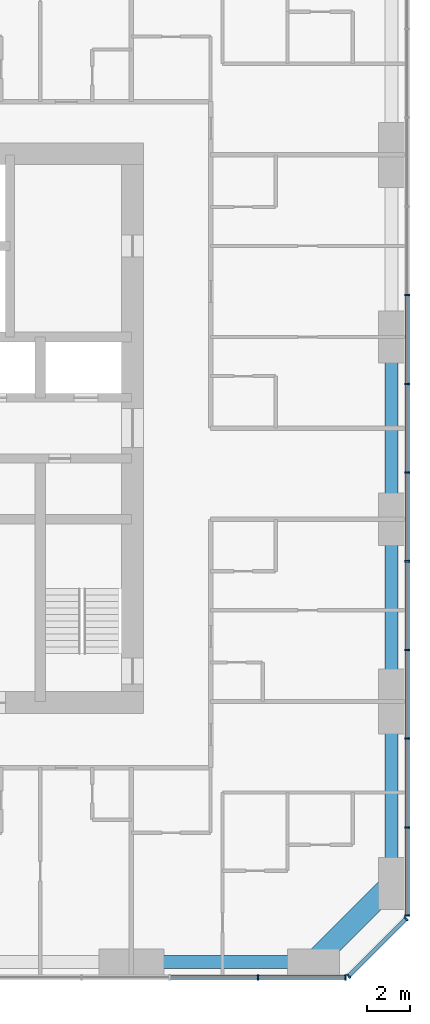
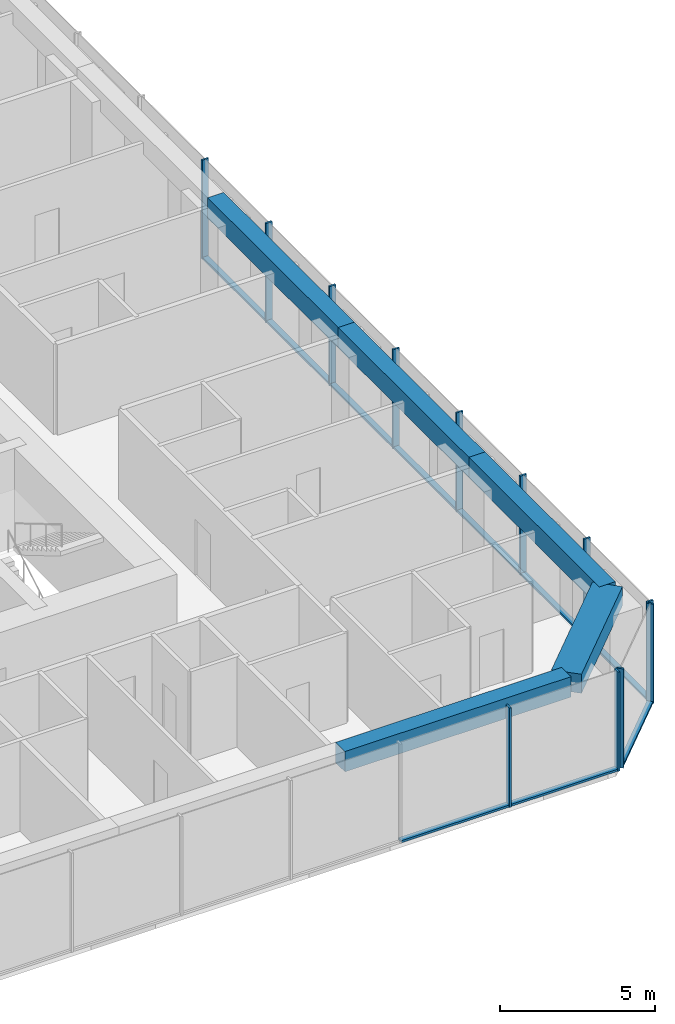
# One storey, part 3 of 13: 22 members, 5 beams, 3 elements without a shape of their own.
"""IFC4 building model written with IfcOpenShell, lengths in metres."""

import ifcopenshell
import ifcopenshell.guid

model = None  # the IFC model being written
_history = None  # IfcOwnerHistory: only IFC2X3 demands one
_inside = {}  # id of a spatial element -> (the spatial element, [elements in it])
_under = {}  # id of a project, library or spatial element -> (it, [spatial elements below it])
_declared = {}  # id of a project -> (the project, [libraries it declares])
_typed = {}  # id of a type object -> (the type object, [elements of that type])
_made_of = {}  # id of a material, layer set ... -> (it, [elements and type objects made of it])


def new_model(schema):
    """Start an empty IFC model of exactly this schema.

    Asked for "IFC4X3", IfcOpenShell would pick the latest addendum, in which some entities
    have other attributes; the version numbers below select the first issue.
    IFC2X3 requires an IfcOwnerHistory on every rooted entity: one is made here for all.
    """
    global model, _history
    if schema == "IFC4X3":
        model = ifcopenshell.file(schema_version=(4, 3, 0, 0))
    else:
        model = ifcopenshell.file(schema=schema)
    _inside.clear()
    _under.clear()
    _declared.clear()
    _typed.clear()
    _made_of.clear()
    _history = None
    if model.schema == "IFC2X3":
        org = make("IfcOrganization", Name="unknown")
        user = make(
            "IfcPersonAndOrganization",
            ThePerson=make("IfcPerson", FamilyName="unknown"),
            TheOrganization=org,
        )
        app = make(
            "IfcApplication",
            ApplicationDeveloper=org,
            Version="unknown",
            ApplicationFullName="unknown",
            ApplicationIdentifier="unknown",
        )
        _history = make(
            "IfcOwnerHistory",
            OwningUser=user,
            OwningApplication=app,
            ChangeAction="ADDED",
            CreationDate=0,
        )
    return model


def make(cls, **values):
    """One entity of the class cls with the attributes given. An attribute that is None is left unset."""
    return model.create_entity(
        cls, **{name: value for name, value in values.items() if value is not None}
    )


def rooted(cls, **values):
    """An entity with a GlobalId (a new one), such as an element, a storey or a relation."""
    return make(cls, GlobalId=ifcopenshell.guid.new(), OwnerHistory=_history, **values)


def si_unit(unit_type, name, prefix=None):
    """IfcSIUnit, for example si_unit("LENGTHUNIT", "METRE", prefix="MILLI")."""
    return make("IfcSIUnit", UnitType=unit_type, Prefix=prefix, Name=name)


def assignment(units):
    """IfcUnitAssignment: the units of a project."""
    return None if units is None else make("IfcUnitAssignment", Units=units)


def point(xyz):
    """IfcCartesianPoint."""
    return None if xyz is None else make("IfcCartesianPoint", Coordinates=xyz)


def direction(xyz):
    """IfcDirection."""
    return None if xyz is None else make("IfcDirection", DirectionRatios=xyz)


def frame(location, z_axis=None, x_axis=None):
    """IfcAxis2Placement3D, a coordinate frame: its origin and axes. An axis left out is left unset."""
    return make(
        "IfcAxis2Placement3D",
        Location=point(location),
        Axis=direction(z_axis),
        RefDirection=direction(x_axis),
    )


def frame_2d(location, x_axis=None):
    """IfcAxis2Placement2D, a coordinate frame in the plane: its origin and x axis."""
    return make(
        "IfcAxis2Placement2D", Location=point(location), RefDirection=direction(x_axis)
    )


def origin():
    """The frame at (0, 0, 0) with its axes left unset."""
    return frame((0.0, 0.0, 0.0))


def origin_2d():
    """The frame at (0, 0) in the plane with its x axis left unset."""
    return frame_2d((0.0, 0.0))


def place(relative_to, where):
    """IfcLocalPlacement: puts the frame where relative to a parent placement (None: the world)."""
    return make(
        "IfcLocalPlacement", PlacementRelTo=relative_to, RelativePlacement=where
    )


def context(
    kind, dimensions, precision=None, world=None, true_north=None, identifier=None
):
    """IfcGeometricRepresentationContext, for example the 3D "Model" context."""
    return make(
        "IfcGeometricRepresentationContext",
        ContextIdentifier=identifier,
        ContextType=kind,
        CoordinateSpaceDimension=dimensions,
        Precision=precision,
        WorldCoordinateSystem=world,
        TrueNorth=true_north,
    )


def subcontext(parent, identifier, kind, view, scale=None):
    """IfcGeometricRepresentationSubContext, for example "Body" below "Model"."""
    return make(
        "IfcGeometricRepresentationSubContext",
        ContextIdentifier=identifier,
        ContextType=kind,
        ParentContext=parent,
        TargetScale=scale,
        TargetView=view,
    )


def project(units=None, contexts=None):
    """IfcProject with its units and contexts."""
    return rooted(
        "IfcProject",
        Name="project",
        RepresentationContexts=contexts,
        UnitsInContext=assignment(units),
    )


def spatial(cls, under=None, at=None, **own):
    """A site, building, storey or space (cls), placed at a placement, below another one or the project."""
    s = rooted(cls, ObjectPlacement=at, **own)
    if under is not None:
        _under.setdefault(under.id(), (under, []))[1].append(s)
    return s


def profile(cls, at=None, kind="AREA", **sizes):
    """A parametric profile (cls). Its sizes go by their IFC names, for example OverallWidth=200.0."""
    return make(cls, ProfileType=kind, Position=at, **sizes)


def rectangle(**sizes):
    """IfcRectangleProfileDef."""
    return profile("IfcRectangleProfileDef", **sizes)


def extrude(swept, where, along, depth):
    """IfcExtrudedAreaSolid: the profile swept, set in the frame where, extruded along a direction by depth."""
    return make(
        "IfcExtrudedAreaSolid",
        SweptArea=swept,
        Position=where,
        ExtrudedDirection=direction(along),
        Depth=depth,
    )


def shape(context_of_items, identifier, shape_type, items):
    """IfcShapeRepresentation: the items that make up one representation, for example the "Body"."""
    return make(
        "IfcShapeRepresentation",
        ContextOfItems=context_of_items,
        RepresentationIdentifier=identifier,
        RepresentationType=shape_type,
        Items=items,
    )


def material(Name=None, Category=None):
    """IfcMaterial."""
    return make("IfcMaterial", Name=Name, Category=Category)


def material_profile(
    of_material, cross_section, Name=None, Category=None, Priority=None
):
    """IfcMaterialProfile: a cross section and its material."""
    return make(
        "IfcMaterialProfile",
        Name=Name,
        Material=of_material,
        Profile=cross_section,
        Priority=Priority,
        Category=Category,
    )


def profile_set(profiles, Name=None, composite=None):
    """IfcMaterialProfileSet."""
    return make(
        "IfcMaterialProfileSet",
        Name=Name,
        MaterialProfiles=profiles,
        CompositeProfile=composite,
    )


def made_of(thing, what):
    """Note that an element or type object is made of a material, layer set ...; save() writes the relation."""
    if what is not None:
        _made_of.setdefault(what.id(), (what, []))[1].append(thing)
    return thing


def type_object(cls, material=None, **own):
    """A type object (cls), such as IfcWallType, which elements share."""
    return made_of(rooted(cls, **own), material)


def element(
    cls,
    number,
    at=None,
    inside=None,
    cuts=None,
    type_object=None,
    material=None,
    context=None,
    identifier="Body",
    shape_type=None,
    held_by="IfcProductDefinitionShape",
    body=None,
    shapes=None,
    **own,
):
    """One element of the class cls, such as IfcWall. Its Tag is "e" and its number.

    at: its placement. inside: the storey or other place that contains it. cuts: it is an
    opening in that element (IfcRelVoidsElement). A single representation is given by context,
    identifier, shape_type and body (its items); several are given by shapes. held_by: the class
    of the entity that holds the representations. save() writes the other relations.
    """
    e = rooted(cls, Tag="e%d" % number, ObjectPlacement=at, **own)
    if body is not None:
        shapes = [shape(context, identifier, shape_type, body)]
    if shapes is not None:
        e.Representation = make(held_by, Representations=shapes)
    if inside is not None:
        _inside.setdefault(inside.id(), (inside, []))[1].append(e)
    if cuts is not None:
        rooted(
            "IfcRelVoidsElement", RelatingBuildingElement=cuts, RelatedOpeningElement=e
        )
    if type_object is not None:
        _typed.setdefault(type_object.id(), (type_object, []))[1].append(e)
    return made_of(e, material)


def aggregate(whole, parts):
    """IfcRelAggregates: a whole, such as a stair, and the parts it consists of."""
    return rooted("IfcRelAggregates", RelatingObject=whole, RelatedObjects=parts)


def save(model, path):
    """Write the relations noted so far, then the file.

    IfcRelAggregates (storeys below a building ...), IfcRelContainedInSpatialStructure (elements
    in a storey), IfcRelDefinesByType, IfcRelAssociatesMaterial and IfcRelDeclares: one each for
    every whole, place, type object, material and project.
    """
    for whole, parts in _under.values():
        aggregate(whole, parts)
    for where, things in _inside.values():
        rooted(
            "IfcRelContainedInSpatialStructure",
            RelatedElements=things,
            RelatingStructure=where,
        )
    for kind, things in _typed.values():
        rooted("IfcRelDefinesByType", RelatedObjects=things, RelatingType=kind)
    for what, things in _made_of.values():
        rooted("IfcRelAssociatesMaterial", RelatedObjects=things, RelatingMaterial=what)
    for by, libraries in _declared.values():
        rooted("IfcRelDeclares", RelatingContext=by, RelatedDefinitions=libraries)
    model.write(path)


model = new_model("IFC4")

# Units and contexts
model_context = context("Model", 3, precision=1e-05, world=origin(), true_north=direction((0.0, 1.0)))
body_context = subcontext(model_context, "Body", "Model", "MODEL_VIEW")
ifc_project = project(units=[si_unit("LENGTHUNIT", "METRE"), si_unit("AREAUNIT", "SQUARE_METRE"), si_unit("VOLUMEUNIT", "CUBIC_METRE"), si_unit("PLANEANGLEUNIT", "RADIAN"), si_unit("MASSUNIT", "GRAM", prefix="KILO")], contexts=[model_context])

# Site, building, storey
site_placement = place(None, origin())
site = spatial("IfcSite", under=ifc_project, at=site_placement, CompositionType="ELEMENT")
building_placement = place(site_placement, origin())
building = spatial("IfcBuilding", under=site, at=building_placement, Name="Dunama Terrace Hotel", CompositionType="ELEMENT")
storey_placement = place(building_placement, frame((0.0, 0.0, 225.60009765625)))
storey = spatial("IfcBuildingStorey", under=building, at=storey_placement, Name="L58", CompositionType="ELEMENT", Elevation=225.60009765625)

# Curtain wall, members
ifc_material_1 = material(Name="Aluminium curtain wall system", Category="aluminium")
curtain_wall_type = type_object("IfcCurtainWallType", Name="Unitised fritted glass wall CW-D", PredefinedType="NOTDEFINED", material=ifc_material_1)
curtain_wall_1_placement = place(storey_placement, origin())
curtain_wall_1 = element("IfcCurtainWall", 1, at=curtain_wall_1_placement, inside=storey, type_object=curtain_wall_type, Name="Unitised fritted glass wall CW-D L58", PredefinedType="NOTDEFINED")
ifc_material_2 = material(Name="Aluminium mullion", Category="aluminium")
ifc_material_profile_1 = material_profile(ifc_material_2, rectangle(XDim=0.070068359375, YDim=0.239990234375, at=origin_2d()), Name="CWD MULLION 70X240")
ifc_profile_set_1 = profile_set([ifc_material_profile_1], Name="Aluminium mullion")
member_type_1 = type_object("IfcMemberType", Name="CWD mullion 70x240", PredefinedType="MULLION", material=ifc_profile_set_1)
member_1_placement = place(storey_placement, frame((47.8330078125, 4.080078125, 0.0), z_axis=(0.0, 0.0, 1.0), x_axis=(1.0, 0.0, 0.0)))
member_1 = element("IfcMember", 2, at=member_1_placement, type_object=member_type_1, Name="CWD mullion", PredefinedType="MULLION", context=body_context, shape_type="SweptSolid", body=[
    extrude(rectangle(XDim=0.070068359375, YDim=0.239990234375, at=origin_2d()), origin(), (0.0, 0.0, 1.0), 3.89990234375),
])
member_2_placement = place(storey_placement, frame((51.864990234375, 4.080078125, 0.0), z_axis=(0.0, 0.0, 1.0), x_axis=(1.0, 0.0, 0.0)))
member_2 = element("IfcMember", 3, at=member_2_placement, type_object=member_type_1, Name="CWD mullion", PredefinedType="MULLION", context=body_context, shape_type="SweptSolid", body=[
    extrude(rectangle(XDim=0.070068359375, YDim=0.239990234375, at=origin_2d()), origin(), (0.0, 0.0, 1.0), 3.89990234375),
])

curtain_wall_2_placement = place(storey_placement, origin())
curtain_wall_2 = element("IfcCurtainWall", 4, at=curtain_wall_2_placement, inside=storey, type_object=curtain_wall_type, Name="Unitised fritted glass wall CW-D L58", PredefinedType="NOTDEFINED")
member_3_placement = place(storey_placement, frame((52.010009765625, 4.139892578125, 0.0), z_axis=(0.0, 0.0, 1.0), x_axis=(0.707106781187, 0.707106781187, 0.0)))
member_3 = element("IfcMember", 5, at=member_3_placement, type_object=member_type_1, Name="CWD mullion", PredefinedType="MULLION", context=body_context, shape_type="SweptSolid", body=[
    extrude(rectangle(XDim=0.070068359375, YDim=0.239990234375, at=origin_2d()), origin(), (0.0, 0.0, 1.0), 3.89990234375),
])
member_4_placement = place(storey_placement, frame((54.659912109375, 6.7900390625, 0.0), z_axis=(0.0, 0.0, 1.0), x_axis=(0.707106781187, 0.707106781187, 0.0)))
member_4 = element("IfcMember", 6, at=member_4_placement, type_object=member_type_1, Name="CWD mullion", PredefinedType="MULLION", context=body_context, shape_type="SweptSolid", body=[
    extrude(rectangle(XDim=0.070068359375, YDim=0.239990234375, at=origin_2d()), origin(), (0.0, 0.0, 1.0), 3.89990234375),
])

curtain_wall_3_placement = place(storey_placement, origin())
curtain_wall_3 = element("IfcCurtainWall", 7, at=curtain_wall_3_placement, inside=storey, type_object=curtain_wall_type, Name="Unitised fritted glass wall CW-D L58", PredefinedType="NOTDEFINED")
member_5_placement = place(storey_placement, frame((54.719970703125, 6.93505859375, 0.0), z_axis=(0.0, 0.0, 1.0), x_axis=(0.0, 1.0, 0.0)))
member_5 = element("IfcMember", 8, at=member_5_placement, type_object=member_type_1, Name="CWD mullion", PredefinedType="MULLION", context=body_context, shape_type="SweptSolid", body=[
    extrude(rectangle(XDim=0.070068359375, YDim=0.239990234375, at=origin_2d()), origin(), (0.0, 0.0, 1.0), 3.89990234375),
])
member_6_placement = place(storey_placement, frame((54.719970703125, 10.990966796875, 0.0), z_axis=(0.0, 0.0, 1.0), x_axis=(0.0, 1.0, 0.0)))
member_6 = element("IfcMember", 9, at=member_6_placement, type_object=member_type_1, Name="CWD mullion", PredefinedType="MULLION", context=body_context, shape_type="SweptSolid", body=[
    extrude(rectangle(XDim=0.070068359375, YDim=0.239990234375, at=origin_2d()), origin(), (0.0, 0.0, 1.0), 3.89990234375),
])
member_7_placement = place(storey_placement, frame((54.719970703125, 15.08203125, 0.0), z_axis=(0.0, 0.0, 1.0), x_axis=(0.0, 1.0, 0.0)))
member_7 = element("IfcMember", 10, at=member_7_placement, type_object=member_type_1, Name="CWD mullion", PredefinedType="MULLION", context=body_context, shape_type="SweptSolid", body=[
    extrude(rectangle(XDim=0.070068359375, YDim=0.239990234375, at=origin_2d()), origin(), (0.0, 0.0, 1.0), 3.89990234375),
])
member_8_placement = place(storey_placement, frame((54.719970703125, 19.173095703125, 0.0), z_axis=(0.0, 0.0, 1.0), x_axis=(0.0, 1.0, 0.0)))
member_8 = element("IfcMember", 11, at=member_8_placement, type_object=member_type_1, Name="CWD mullion", PredefinedType="MULLION", context=body_context, shape_type="SweptSolid", body=[
    extrude(rectangle(XDim=0.070068359375, YDim=0.239990234375, at=origin_2d()), origin(), (0.0, 0.0, 1.0), 3.89990234375),
])
member_9_placement = place(storey_placement, frame((54.719970703125, 23.263916015625, 0.0), z_axis=(0.0, 0.0, 1.0), x_axis=(0.0, 1.0, 0.0)))
member_9 = element("IfcMember", 12, at=member_9_placement, type_object=member_type_1, Name="CWD mullion", PredefinedType="MULLION", context=body_context, shape_type="SweptSolid", body=[
    extrude(rectangle(XDim=0.070068359375, YDim=0.239990234375, at=origin_2d()), origin(), (0.0, 0.0, 1.0), 3.89990234375),
])
member_10_placement = place(storey_placement, frame((54.719970703125, 27.35498046875, 0.0), z_axis=(0.0, 0.0, 1.0), x_axis=(0.0, 1.0, 0.0)))
member_10 = element("IfcMember", 13, at=member_10_placement, type_object=member_type_1, Name="CWD mullion", PredefinedType="MULLION", context=body_context, shape_type="SweptSolid", body=[
    extrude(rectangle(XDim=0.070068359375, YDim=0.239990234375, at=origin_2d()), origin(), (0.0, 0.0, 1.0), 3.89990234375),
])
member_11_placement = place(storey_placement, frame((54.719970703125, 31.445068359375, 0.0), z_axis=(0.0, 0.0, 1.0), x_axis=(0.0, 1.0, 0.0)))
member_11 = element("IfcMember", 14, at=member_11_placement, type_object=member_type_1, Name="CWD mullion", PredefinedType="MULLION", context=body_context, shape_type="SweptSolid", body=[
    extrude(rectangle(XDim=0.070068359375, YDim=0.239990234375, at=origin_2d()), origin(), (0.0, 0.0, 1.0), 3.89990234375),
])
member_12_placement = place(storey_placement, frame((54.719970703125, 35.535888671875, 0.0), z_axis=(0.0, 0.0, 1.0), x_axis=(0.0, 1.0, 0.0)))
member_12 = element("IfcMember", 15, at=member_12_placement, type_object=member_type_1, Name="CWD mullion", PredefinedType="MULLION", context=body_context, shape_type="SweptSolid", body=[
    extrude(rectangle(XDim=0.070068359375, YDim=0.239990234375, at=origin_2d()), origin(), (0.0, 0.0, 1.0), 3.89990234375),
])

# Member
ifc_material_3 = material(Name="Aluminium transom", Category="aluminium")
ifc_material_profile_2 = material_profile(ifc_material_3, rectangle(XDim=0.199951171875, YDim=0.0849609375, at=origin_2d()), Name="CWD TRANSOM 200X85")
ifc_profile_set_2 = profile_set([ifc_material_profile_2], Name="Aluminium transom")
member_type_2 = type_object("IfcMemberType", Name="CWD transom 200x85", PredefinedType="USERDEFINED", material=ifc_profile_set_2)
member_13_placement = place(storey_placement, frame((43.802001953125, 4.080078125, 0.04248046875), z_axis=(1.0, 0.0, 0.0), x_axis=(0.0, 1.0, 0.0)))
member_13 = element("IfcMember", 16, at=member_13_placement, type_object=member_type_2, Name="CWD transom", ObjectType="TRANSOM", PredefinedType="USERDEFINED", context=body_context, shape_type="SweptSolid", body=[
    extrude(rectangle(XDim=0.199951171875, YDim=0.0849609375, at=origin_2d()), origin(), (0.0, 0.0, 1.0), 3.99609375),
])

member_14_placement = place(storey_placement, frame((47.867919921875, 4.080078125, 0.04248046875), z_axis=(1.0, 0.0, 0.0), x_axis=(0.0, 1.0, 0.0)))
member_14 = element("IfcMember", 17, at=member_14_placement, type_object=member_type_2, Name="CWD transom", ObjectType="TRANSOM", PredefinedType="USERDEFINED", context=body_context, shape_type="SweptSolid", body=[
    extrude(rectangle(XDim=0.199951171875, YDim=0.0849609375, at=origin_2d()), origin(), (0.0, 0.0, 1.0), 3.962158203125),
])

aggregate(curtain_wall_1, [member_1, member_2, member_13, member_14])

member_15_placement = place(storey_placement, frame((52.033935546875, 4.1650390625, 0.04248046875), z_axis=(0.707106781187, 0.707106781187, 0.0), x_axis=(-0.707106781187, 0.707106781187, 0.0)))
member_15 = element("IfcMember", 18, at=member_15_placement, type_object=member_type_2, Name="CWD transom", ObjectType="TRANSOM", PredefinedType="USERDEFINED", context=body_context, shape_type="SweptSolid", body=[
    extrude(rectangle(XDim=0.199951171875, YDim=0.0849609375, at=origin_2d()), origin(), (0.0, 0.0, 1.0), 3.678466796875),
])

aggregate(curtain_wall_2, [member_3, member_4, member_15])

member_16_placement = place(storey_placement, frame((54.719970703125, 6.969970703125, 0.04248046875), z_axis=(0.0, 1.0, 0.0), x_axis=(-1.0, 0.0, 0.0)))
member_16 = element("IfcMember", 19, at=member_16_placement, type_object=member_type_2, Name="CWD transom", ObjectType="TRANSOM", PredefinedType="USERDEFINED", context=body_context, shape_type="SweptSolid", body=[
    extrude(rectangle(XDim=0.199951171875, YDim=0.0849609375, at=origin_2d()), origin(), (0.0, 0.0, 1.0), 3.986083984375),
])

member_17_placement = place(storey_placement, frame((54.719970703125, 11.02587890625, 0.04248046875), z_axis=(0.0, 1.0, 0.0), x_axis=(-1.0, 0.0, 0.0)))
member_17 = element("IfcMember", 20, at=member_17_placement, type_object=member_type_2, Name="CWD transom", ObjectType="TRANSOM", PredefinedType="USERDEFINED", context=body_context, shape_type="SweptSolid", body=[
    extrude(rectangle(XDim=0.199951171875, YDim=0.0849609375, at=origin_2d()), origin(), (0.0, 0.0, 1.0), 4.021240234375),
])

member_18_placement = place(storey_placement, frame((54.719970703125, 15.116943359375, 0.04248046875), z_axis=(0.0, 1.0, 0.0), x_axis=(-1.0, 0.0, 0.0)))
member_18 = element("IfcMember", 21, at=member_18_placement, type_object=member_type_2, Name="CWD transom", ObjectType="TRANSOM", PredefinedType="USERDEFINED", context=body_context, shape_type="SweptSolid", body=[
    extrude(rectangle(XDim=0.199951171875, YDim=0.0849609375, at=origin_2d()), origin(), (0.0, 0.0, 1.0), 4.02099609375),
])

member_19_placement = place(storey_placement, frame((54.719970703125, 19.2080078125, 0.04248046875), z_axis=(0.0, 1.0, 0.0), x_axis=(-1.0, 0.0, 0.0)))
member_19 = element("IfcMember", 22, at=member_19_placement, type_object=member_type_2, Name="CWD transom", ObjectType="TRANSOM", PredefinedType="USERDEFINED", context=body_context, shape_type="SweptSolid", body=[
    extrude(rectangle(XDim=0.199951171875, YDim=0.0849609375, at=origin_2d()), origin(), (0.0, 0.0, 1.0), 4.02099609375),
])

member_20_placement = place(storey_placement, frame((54.719970703125, 23.299072265625, 0.04248046875), z_axis=(0.0, 1.0, 0.0), x_axis=(-1.0, 0.0, 0.0)))
member_20 = element("IfcMember", 23, at=member_20_placement, type_object=member_type_2, Name="CWD transom", ObjectType="TRANSOM", PredefinedType="USERDEFINED", context=body_context, shape_type="SweptSolid", body=[
    extrude(rectangle(XDim=0.199951171875, YDim=0.0849609375, at=origin_2d()), origin(), (0.0, 0.0, 1.0), 4.02099609375),
])

member_21_placement = place(storey_placement, frame((54.719970703125, 27.389892578125, 0.04248046875), z_axis=(0.0, 1.0, 0.0), x_axis=(-1.0, 0.0, 0.0)))
member_21 = element("IfcMember", 24, at=member_21_placement, type_object=member_type_2, Name="CWD transom", ObjectType="TRANSOM", PredefinedType="USERDEFINED", context=body_context, shape_type="SweptSolid", body=[
    extrude(rectangle(XDim=0.199951171875, YDim=0.0849609375, at=origin_2d()), origin(), (0.0, 0.0, 1.0), 4.02001953125),
])

member_22_placement = place(storey_placement, frame((54.719970703125, 31.47998046875, 0.04248046875), z_axis=(0.0, 1.0, 0.0), x_axis=(-1.0, 0.0, 0.0)))
member_22 = element("IfcMember", 25, at=member_22_placement, type_object=member_type_2, Name="CWD transom", ObjectType="TRANSOM", PredefinedType="USERDEFINED", context=body_context, shape_type="SweptSolid", body=[
    extrude(rectangle(XDim=0.199951171875, YDim=0.0849609375, at=origin_2d()), origin(), (0.0, 0.0, 1.0), 4.02099609375),
])

aggregate(curtain_wall_3, [member_5, member_6, member_7, member_8, member_9, member_10, member_11, member_12, member_16, member_17, member_18, member_19, member_20, member_21, member_22])

# Beams
ifc_material_4 = material(Name="Concrete C50/60", Category="concrete")
ifc_material_profile_3 = material_profile(ifc_material_4, rectangle(XDim=1.0, YDim=0.75, at=origin_2d()), Name="RC 1000x750")
ifc_profile_set_3 = profile_set([ifc_material_profile_3], Name="Concrete C50/60")
beam_type_1 = type_object("IfcBeamType", Name="Edge beam RC 1000x750", PredefinedType="SPANDREL", material=ifc_profile_set_3)
beam_1_placement = place(storey_placement, frame((50.39990234375, 4.800048828125, 3.52490234375), z_axis=(0.707130757816, 0.707082803744, 0.0), x_axis=(-0.707082803744, 0.707130757816, 0.0)))
element("IfcBeam", 26, at=beam_1_placement, inside=storey, type_object=beam_type_1, Name="Corner edge beam under L59", PredefinedType="SPANDREL", context=body_context, shape_type="SweptSolid", body=[
    extrude(rectangle(XDim=1.0, YDim=0.75, at=origin_2d()), origin(), (0.0, 0.0, 1.0), 5.091064453125),
])
ifc_material_5 = material(Name="Concrete C40/50", Category="concrete")
ifc_material_profile_4 = material_profile(ifc_material_5, rectangle(XDim=0.60009765625, YDim=0.800048828125, at=origin_2d()), Name="RC 600x800")
ifc_profile_set_4 = profile_set([ifc_material_profile_4], Name="Concrete C40/50")
beam_type_2 = type_object("IfcBeamType", Name="Edge beam RC 600x800", PredefinedType="SPANDREL", material=ifc_profile_set_4)
beam_2_placement = place(storey_placement, frame((54.0, 8.39990234375, 3.5), z_axis=(0.0, 1.0, 0.0), x_axis=(-1.0, 0.0, 0.0)))
element("IfcBeam", 27, at=beam_2_placement, inside=storey, type_object=beam_type_2, Name="Edge beam under L59", PredefinedType="SPANDREL", context=body_context, shape_type="SweptSolid", body=[
    extrude(rectangle(XDim=0.60009765625, YDim=0.800048828125, at=origin_2d()), origin(), (0.0, 0.0, 1.0), 8.400146484375),
])
beam_3_placement = place(storey_placement, frame((54.0, 16.800048828125, 3.5), z_axis=(0.0, 1.0, 0.0), x_axis=(-1.0, 0.0, 0.0)))
element("IfcBeam", 28, at=beam_3_placement, inside=storey, type_object=beam_type_2, Name="Edge beam under L59", PredefinedType="SPANDREL", context=body_context, shape_type="SweptSolid", body=[
    extrude(rectangle(XDim=0.60009765625, YDim=0.800048828125, at=origin_2d()), origin(), (0.0, 0.0, 1.0), 8.39990234375),
])
beam_4_placement = place(storey_placement, frame((54.0, 25.199951171875, 3.5), z_axis=(0.0, 1.0, 0.0), x_axis=(-1.0, 0.0, 0.0)))
element("IfcBeam", 29, at=beam_4_placement, inside=storey, type_object=beam_type_2, Name="Edge beam under L59", PredefinedType="SPANDREL", context=body_context, shape_type="SweptSolid", body=[
    extrude(rectangle(XDim=0.60009765625, YDim=0.800048828125, at=origin_2d()), origin(), (0.0, 0.0, 1.0), 8.400146484375),
])
beam_5_placement = place(storey_placement, frame((42.0, 4.800048828125, 3.5), z_axis=(1.0, 0.0, 0.0), x_axis=(0.0, 1.0, 0.0)))
element("IfcBeam", 30, at=beam_5_placement, inside=storey, type_object=beam_type_2, Name="Edge beam under L59", PredefinedType="SPANDREL", context=body_context, shape_type="SweptSolid", body=[
    extrude(rectangle(XDim=0.60009765625, YDim=0.800048828125, at=origin_2d()), origin(), (0.0, 0.0, 1.0), 8.39990234375),
])

save(model, "model.ifc")
